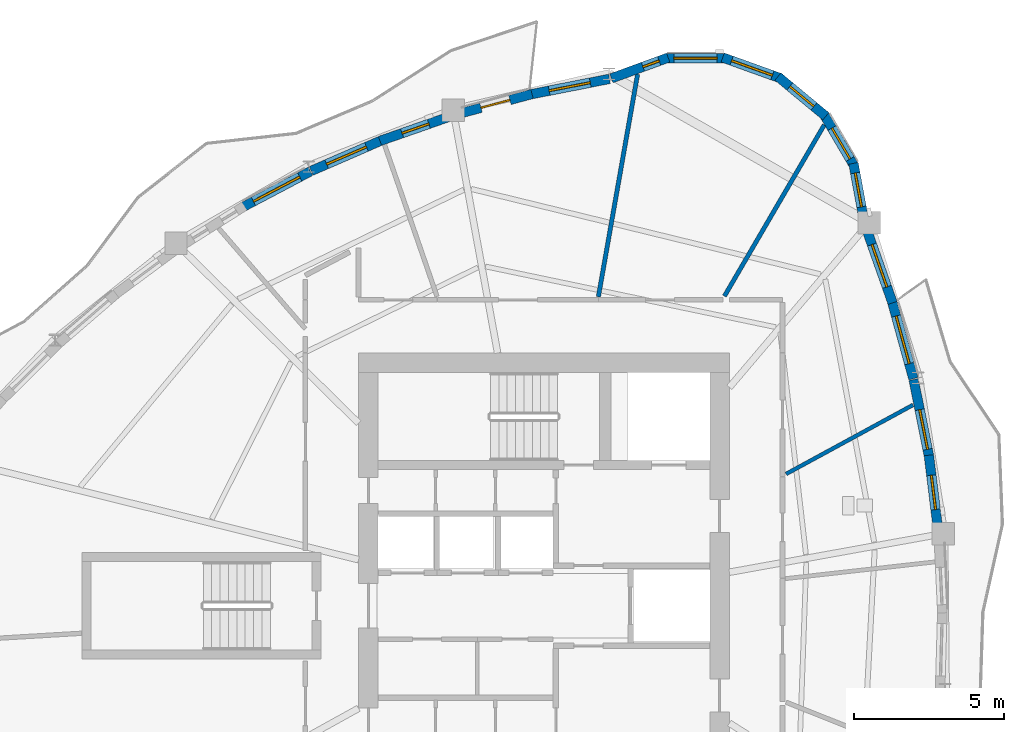
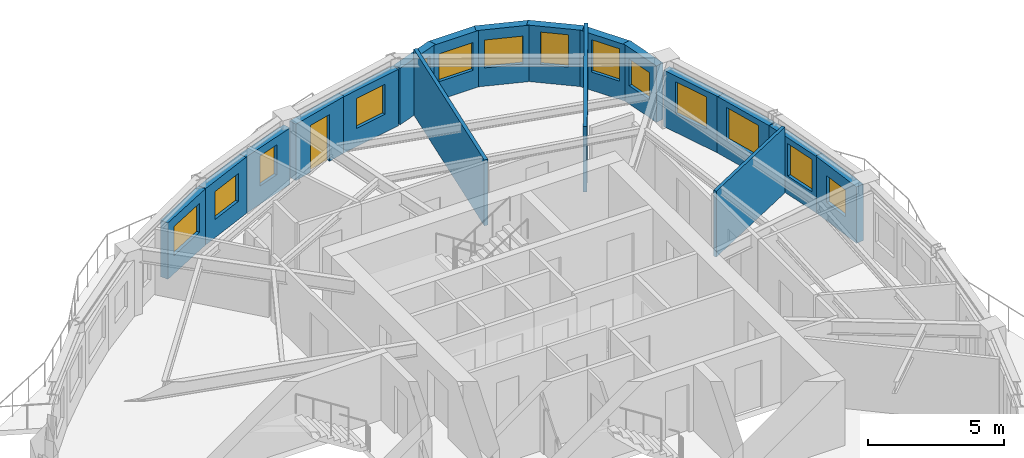
# One storey, part 7 of 12: 18 walls, 14 windows, 1 door, 15 openings.
"""IFC4 building model written with IfcOpenShell, lengths in metres."""

import ifcopenshell
import ifcopenshell.guid

model = None  # the IFC model being written
_history = None  # IfcOwnerHistory: only IFC2X3 demands one
_inside = {}  # id of a spatial element -> (the spatial element, [elements in it])
_under = {}  # id of a project, library or spatial element -> (it, [spatial elements below it])
_declared = {}  # id of a project -> (the project, [libraries it declares])
_typed = {}  # id of a type object -> (the type object, [elements of that type])
_made_of = {}  # id of a material, layer set ... -> (it, [elements and type objects made of it])


def new_model(schema):
    """Start an empty IFC model of exactly this schema.

    Asked for "IFC4X3", IfcOpenShell would pick the latest addendum, in which some entities
    have other attributes; the version numbers below select the first issue.
    IFC2X3 requires an IfcOwnerHistory on every rooted entity: one is made here for all.
    """
    global model, _history
    if schema == "IFC4X3":
        model = ifcopenshell.file(schema_version=(4, 3, 0, 0))
    else:
        model = ifcopenshell.file(schema=schema)
    _inside.clear()
    _under.clear()
    _declared.clear()
    _typed.clear()
    _made_of.clear()
    _history = None
    if model.schema == "IFC2X3":
        org = make("IfcOrganization", Name="unknown")
        user = make(
            "IfcPersonAndOrganization",
            ThePerson=make("IfcPerson", FamilyName="unknown"),
            TheOrganization=org,
        )
        app = make(
            "IfcApplication",
            ApplicationDeveloper=org,
            Version="unknown",
            ApplicationFullName="unknown",
            ApplicationIdentifier="unknown",
        )
        _history = make(
            "IfcOwnerHistory",
            OwningUser=user,
            OwningApplication=app,
            ChangeAction="ADDED",
            CreationDate=0,
        )
    return model


def make(cls, **values):
    """One entity of the class cls with the attributes given. An attribute that is None is left unset."""
    return model.create_entity(
        cls, **{name: value for name, value in values.items() if value is not None}
    )


def rooted(cls, **values):
    """An entity with a GlobalId (a new one), such as an element, a storey or a relation."""
    return make(cls, GlobalId=ifcopenshell.guid.new(), OwnerHistory=_history, **values)


def si_unit(unit_type, name, prefix=None):
    """IfcSIUnit, for example si_unit("LENGTHUNIT", "METRE", prefix="MILLI")."""
    return make("IfcSIUnit", UnitType=unit_type, Prefix=prefix, Name=name)


def assignment(units):
    """IfcUnitAssignment: the units of a project."""
    return None if units is None else make("IfcUnitAssignment", Units=units)


def point(xyz):
    """IfcCartesianPoint."""
    return None if xyz is None else make("IfcCartesianPoint", Coordinates=xyz)


def direction(xyz):
    """IfcDirection."""
    return None if xyz is None else make("IfcDirection", DirectionRatios=xyz)


def frame(location, z_axis=None, x_axis=None):
    """IfcAxis2Placement3D, a coordinate frame: its origin and axes. An axis left out is left unset."""
    return make(
        "IfcAxis2Placement3D",
        Location=point(location),
        Axis=direction(z_axis),
        RefDirection=direction(x_axis),
    )


def frame_2d(location, x_axis=None):
    """IfcAxis2Placement2D, a coordinate frame in the plane: its origin and x axis."""
    return make(
        "IfcAxis2Placement2D", Location=point(location), RefDirection=direction(x_axis)
    )


def origin():
    """The frame at (0, 0, 0) with its axes left unset."""
    return frame((0.0, 0.0, 0.0))


def place(relative_to, where):
    """IfcLocalPlacement: puts the frame where relative to a parent placement (None: the world)."""
    return make(
        "IfcLocalPlacement", PlacementRelTo=relative_to, RelativePlacement=where
    )


def context(
    kind, dimensions, precision=None, world=None, true_north=None, identifier=None
):
    """IfcGeometricRepresentationContext, for example the 3D "Model" context."""
    return make(
        "IfcGeometricRepresentationContext",
        ContextIdentifier=identifier,
        ContextType=kind,
        CoordinateSpaceDimension=dimensions,
        Precision=precision,
        WorldCoordinateSystem=world,
        TrueNorth=true_north,
    )


def subcontext(parent, identifier, kind, view, scale=None):
    """IfcGeometricRepresentationSubContext, for example "Body" below "Model"."""
    return make(
        "IfcGeometricRepresentationSubContext",
        ContextIdentifier=identifier,
        ContextType=kind,
        ParentContext=parent,
        TargetScale=scale,
        TargetView=view,
    )


def project(units=None, contexts=None):
    """IfcProject with its units and contexts."""
    return rooted(
        "IfcProject",
        Name="project",
        RepresentationContexts=contexts,
        UnitsInContext=assignment(units),
    )


def spatial(cls, under=None, at=None, **own):
    """A site, building, storey or space (cls), placed at a placement, below another one or the project."""
    s = rooted(cls, ObjectPlacement=at, **own)
    if under is not None:
        _under.setdefault(under.id(), (under, []))[1].append(s)
    return s


def profile(cls, at=None, kind="AREA", **sizes):
    """A parametric profile (cls). Its sizes go by their IFC names, for example OverallWidth=200.0."""
    return make(cls, ProfileType=kind, Position=at, **sizes)


def rectangle(**sizes):
    """IfcRectangleProfileDef."""
    return profile("IfcRectangleProfileDef", **sizes)


def extrude(swept, where, along, depth):
    """IfcExtrudedAreaSolid: the profile swept, set in the frame where, extruded along a direction by depth."""
    return make(
        "IfcExtrudedAreaSolid",
        SweptArea=swept,
        Position=where,
        ExtrudedDirection=direction(along),
        Depth=depth,
    )


def shape(context_of_items, identifier, shape_type, items):
    """IfcShapeRepresentation: the items that make up one representation, for example the "Body"."""
    return make(
        "IfcShapeRepresentation",
        ContextOfItems=context_of_items,
        RepresentationIdentifier=identifier,
        RepresentationType=shape_type,
        Items=items,
    )


def source(mapping_origin, context_of_items, identifier, shape_type, items):
    """IfcRepresentationMap: a shape defined once, which mapped items show again and again."""
    return make(
        "IfcRepresentationMap",
        MappingOrigin=mapping_origin,
        MappedRepresentation=shape(context_of_items, identifier, shape_type, items),
    )


def transform(
    local_origin,
    x_axis=None,
    y_axis=None,
    z_axis=None,
    scale=None,
    scale2=None,
    scale3=None,
    uniform=True,
):
    """IfcCartesianTransformationOperator3D, or its non-uniform kind. x_axis, y_axis, z_axis: its Axis1, 2, 3."""
    if uniform:
        return make(
            "IfcCartesianTransformationOperator3D",
            Axis1=direction(x_axis),
            Axis2=direction(y_axis),
            LocalOrigin=point(local_origin),
            Scale=scale,
            Axis3=direction(z_axis),
        )
    return make(
        "IfcCartesianTransformationOperator3DnonUniform",
        Axis1=direction(x_axis),
        Axis2=direction(y_axis),
        LocalOrigin=point(local_origin),
        Scale=scale,
        Axis3=direction(z_axis),
        Scale2=scale2,
        Scale3=scale3,
    )


def mapped(mapping_source, mapping_target):
    """IfcMappedItem: shows the shape of a source again, moved by a transform."""
    return make(
        "IfcMappedItem", MappingSource=mapping_source, MappingTarget=mapping_target
    )


def material(Name=None, Category=None):
    """IfcMaterial."""
    return make("IfcMaterial", Name=Name, Category=Category)


def layer(
    of_material, thickness, ventilated=None, Name=None, Category=None, Priority=None
):
    """IfcMaterialLayer: one layer of a wall or slab, of a material (None: an air gap)."""
    return make(
        "IfcMaterialLayer",
        Material=of_material,
        LayerThickness=thickness,
        IsVentilated=ventilated,
        Name=Name,
        Category=Category,
        Priority=Priority,
    )


def layer_set(layers, Name=None):
    """IfcMaterialLayerSet."""
    return make("IfcMaterialLayerSet", MaterialLayers=layers, LayerSetName=Name)


def made_of(thing, what):
    """Note that an element or type object is made of a material, layer set ...; save() writes the relation."""
    if what is not None:
        _made_of.setdefault(what.id(), (what, []))[1].append(thing)
    return thing


def type_object(cls, material=None, **own):
    """A type object (cls), such as IfcWallType, which elements share."""
    return made_of(rooted(cls, **own), material)


def element(
    cls,
    number,
    at=None,
    inside=None,
    cuts=None,
    type_object=None,
    material=None,
    context=None,
    identifier="Body",
    shape_type=None,
    held_by="IfcProductDefinitionShape",
    body=None,
    shapes=None,
    **own,
):
    """One element of the class cls, such as IfcWall. Its Tag is "e" and its number.

    at: its placement. inside: the storey or other place that contains it. cuts: it is an
    opening in that element (IfcRelVoidsElement). A single representation is given by context,
    identifier, shape_type and body (its items); several are given by shapes. held_by: the class
    of the entity that holds the representations. save() writes the other relations.
    """
    e = rooted(cls, Tag="e%d" % number, ObjectPlacement=at, **own)
    if body is not None:
        shapes = [shape(context, identifier, shape_type, body)]
    if shapes is not None:
        e.Representation = make(held_by, Representations=shapes)
    if inside is not None:
        _inside.setdefault(inside.id(), (inside, []))[1].append(e)
    if cuts is not None:
        rooted(
            "IfcRelVoidsElement", RelatingBuildingElement=cuts, RelatedOpeningElement=e
        )
    if type_object is not None:
        _typed.setdefault(type_object.id(), (type_object, []))[1].append(e)
    return made_of(e, material)


def fill(opening, filler):
    """IfcRelFillsElement: the door or window that sits in an opening."""
    return rooted(
        "IfcRelFillsElement",
        RelatingOpeningElement=opening,
        RelatedBuildingElement=filler,
    )


def aggregate(whole, parts):
    """IfcRelAggregates: a whole, such as a stair, and the parts it consists of."""
    return rooted("IfcRelAggregates", RelatingObject=whole, RelatedObjects=parts)


def save(model, path):
    """Write the relations noted so far, then the file.

    IfcRelAggregates (storeys below a building ...), IfcRelContainedInSpatialStructure (elements
    in a storey), IfcRelDefinesByType, IfcRelAssociatesMaterial and IfcRelDeclares: one each for
    every whole, place, type object, material and project.
    """
    for whole, parts in _under.values():
        aggregate(whole, parts)
    for where, things in _inside.values():
        rooted(
            "IfcRelContainedInSpatialStructure",
            RelatedElements=things,
            RelatingStructure=where,
        )
    for kind, things in _typed.values():
        rooted("IfcRelDefinesByType", RelatedObjects=things, RelatingType=kind)
    for what, things in _made_of.values():
        rooted("IfcRelAssociatesMaterial", RelatedObjects=things, RelatingMaterial=what)
    for by, libraries in _declared.values():
        rooted("IfcRelDeclares", RelatingContext=by, RelatedDefinitions=libraries)
    model.write(path)


model = new_model("IFC4")

# Units and contexts
model_context = context("Model", 3, precision=1e-05, world=origin(), true_north=direction((0.0, 1.0)))
body_context = subcontext(model_context, "Body", "Model", "MODEL_VIEW")
ifc_project = project(units=[si_unit("LENGTHUNIT", "METRE"), si_unit("AREAUNIT", "SQUARE_METRE"), si_unit("VOLUMEUNIT", "CUBIC_METRE"), si_unit("PLANEANGLEUNIT", "RADIAN"), si_unit("MASSUNIT", "GRAM", prefix="KILO")], contexts=[model_context])

# Site, building, storey
site_placement = place(None, origin())
site = spatial("IfcSite", under=ifc_project, at=site_placement, CompositionType="ELEMENT")
building_placement = place(site_placement, origin())
building = spatial("IfcBuilding", under=site, at=building_placement, Name="Qafzar Sky-Pleat Residences", CompositionType="ELEMENT")
storey_placement = place(building_placement, frame((0.0, 0.0, 181.0)))
storey = spatial("IfcBuildingStorey", under=building, at=storey_placement, Name="L54", CompositionType="ELEMENT", Elevation=181.0)

# Walls
ifc_material_1 = material(Name="Acoustic gypsum plasterboard partition", Category="gypsum")
ifc_layer_1 = layer(ifc_material_1, 0.14501953125)
ifc_layer_set_1 = layer_set([ifc_layer_1], Name="Acoustic gypsum plasterboard partition")
wall_type_1 = type_object("IfcWallType", Name="PART-UNIT-145", PredefinedType="PARTITIONING", material=ifc_layer_set_1)
wall_1_placement = place(storey_placement, frame((32.169677734375, 36.33056640625, 0.0), z_axis=(0.0, 0.0, 1.0), x_axis=(0.173479457804, 0.984837487975, 0.0)))
element("IfcWall", 1, at=wall_1_placement, inside=storey, type_object=wall_type_1, Name="L54 Partition Wall PART-L54-PW-013", PredefinedType="PARTITIONING", context=body_context, shape_type="SweptSolid", body=[
    extrude(rectangle(XDim=7.55859375, YDim=0.14501953125, at=frame_2d((3.779296875, 0.0))), origin(), (0.0, 0.0, 1.0), 2.949951171875),
])
wall_2_placement = place(storey_placement, frame((36.385986328125, 36.353515625, 0.0), z_axis=(0.0, 0.0, 1.0), x_axis=(0.503662452742, 0.863900534609, 0.0)))
element("IfcWall", 2, at=wall_2_placement, inside=storey, type_object=wall_type_1, Name="L54 Partition Wall PART-L54-PW-016", PredefinedType="PARTITIONING", context=body_context, shape_type="SweptSolid", body=[
    extrude(rectangle(XDim=6.623291015625, YDim=0.14501953125, at=frame_2d((3.3115234375, 0.0))), origin(), (0.0, 0.0, 1.0), 2.949951171875),
])
ifc_material_2 = material(Name="Moisture-resistant gypsum partition", Category="gypsum")
ifc_layer_2 = layer(ifc_material_2, 0.1298828125)
ifc_layer_set_2 = layer_set([ifc_layer_2], Name="Moisture-resistant gypsum partition")
wall_type_2 = type_object("IfcWallType", Name="PART-WET-130", PredefinedType="PARTITIONING", material=ifc_layer_set_2)
wall_3_placement = place(storey_placement, frame((38.447998046875, 30.4052734375, 0.0), z_axis=(0.0, 0.0, 1.0), x_axis=(0.878447426807, 0.477839008805, 0.0)))
element("IfcWall", 3, at=wall_3_placement, inside=storey, type_object=wall_type_2, Name="L54 Partition Wall PART-L54-PW-020", PredefinedType="PARTITIONING", context=body_context, shape_type="SweptSolid", body=[
    extrude(rectangle(XDim=4.830322265625, YDim=0.1298828125, at=frame_2d((2.4150390625, 0.0))), origin(), (0.0, 0.0, 1.0), 2.949951171875),
])

# Wall, opening, window
ifc_material_3 = material(Name="Precast concrete C40/50 with honed Riyadh limestone", Category="concrete")
ifc_layer_3 = layer(ifc_material_3, 0.320068359375)
ifc_layer_set_3 = layer_set([ifc_layer_3], Name="Precast concrete C40/50 with honed Riyadh limestone")
wall_type_3 = type_object("IfcWallType", Name="WALL-EXT-320", PredefinedType="SOLIDWALL", material=ifc_layer_set_3)
wall_4_placement = place(storey_placement, frame((43.5283203125, 28.554443359375, 0.0), z_axis=(0.0, 0.0, 1.0), x_axis=(-0.122939257513, 0.99241419728, 0.0)))
wall_4 = element("IfcWall", 4, at=wall_4_placement, inside=storey, type_object=wall_type_3, Name="L54 Limestone Facade Wall 29", PredefinedType="SOLIDWALL", context=body_context, shape_type="SweptSolid", body=[
    extrude(rectangle(XDim=2.496337890625, YDim=0.320068359375, at=frame_2d((1.248046875, 0.0))), origin(), (0.0, 0.0, 1.0), 2.530029296875),
])
opening_1_placement = place(wall_4_placement, frame((0.668212890625, 0.0, 0.820068359375)))
opening_1 = element("IfcOpeningElement", 5, at=opening_1_placement, cuts=wall_4, Name="Opening WN-16", PredefinedType="OPENING", context=body_context, shape_type="SweptSolid", body=[
    extrude(rectangle(XDim=1.14990234375, YDim=1.199951171875, at=frame_2d((0.574951171875, 0.60009765625))), frame((0.0, 0.169921875, 0.0), z_axis=(0.0, -1.0, 0.0), x_axis=(1.0, 0.0, 0.0)), (0.0, 0.0, 1.0), 0.340087890625),
])
ifc_material_4 = material(Name="Solar-control low-E glass in bronze aluminium frame", Category="glass")
window_type_1 = type_object("IfcWindowType", Name="WIN-16", PartitioningType="SINGLE_PANEL", PredefinedType="WINDOW", material=ifc_material_4)
shared_shape_1 = source(origin(), body_context, "Body", "SweptSolid", [
    extrude(rectangle(XDim=1.14990234375, YDim=1.199951171875, at=frame_2d((0.574951171875, 0.60009765625))), frame((0.0, 0.030029296875, 0.0), z_axis=(0.0, -1.0, 0.0), x_axis=(1.0, 0.0, 0.0)), (0.0, 0.0, 1.0), 0.06005859375),
])
window_1_placement = place(opening_1_placement, origin())
window_1 = element("IfcWindow", 6, at=window_1_placement, inside=storey, type_object=window_type_1, Name="L54 Punched Facade Window 29", OverallHeight=1.199951171875, OverallWidth=1.14990234375, PartitioningType="SINGLE_PANEL", PredefinedType="WINDOW", context=body_context, shape_type="MappedRepresentation", body=[
    mapped(shared_shape_1, transform((0.0, 0.0, 0.0), x_axis=(1.0, 0.0, 0.0), y_axis=(0.0, 1.0, 0.0), z_axis=(0.0, 0.0, 1.0), scale=1.0)),
])
fill(opening_1, window_1)

wall_5_placement = place(storey_placement, frame((43.235595703125, 30.945068359375, 0.0), z_axis=(0.0, 0.0, 1.0), x_axis=(-0.196221587905, 0.98055957924, 0.0)))
wall_5 = element("IfcWall", 7, at=wall_5_placement, inside=storey, type_object=wall_type_3, Name="L54 Limestone Facade Wall 30", PredefinedType="SOLIDWALL", context=body_context, shape_type="SweptSolid", body=[
    extrude(rectangle(XDim=2.67138671875, YDim=0.320068359375, at=frame_2d((1.335693359375, 0.0))), origin(), (0.0, 0.0, 1.0), 2.530029296875),
])
opening_2_placement = place(wall_5_placement, frame((0.291259765625, 0.0, 0.820068359375)))
opening_2 = element("IfcOpeningElement", 8, at=opening_2_placement, cuts=wall_5, Name="Opening WN-04", PredefinedType="OPENING", context=body_context, shape_type="SweptSolid", body=[
    extrude(rectangle(XDim=1.35009765625, YDim=1.449951171875, at=frame_2d((0.675048828125, 0.72509765625))), frame((0.0, 0.169921875, 0.0), z_axis=(0.0, -1.0, 0.0), x_axis=(1.0, 0.0, 0.0)), (0.0, 0.0, 1.0), 0.340087890625),
])
window_type_2 = type_object("IfcWindowType", Name="WIN-04", PartitioningType="SINGLE_PANEL", PredefinedType="WINDOW", material=ifc_material_4)
shared_shape_2 = source(origin(), body_context, "Body", "SweptSolid", [
    extrude(rectangle(XDim=1.35009765625, YDim=1.449951171875, at=frame_2d((0.675048828125, 0.72509765625))), frame((0.0, 0.030029296875, 0.0), z_axis=(0.0, -1.0, 0.0), x_axis=(1.0, 0.0, 0.0)), (0.0, 0.0, 1.0), 0.06005859375),
])
window_2_placement = place(opening_2_placement, origin())
window_2 = element("IfcWindow", 9, at=window_2_placement, inside=storey, type_object=window_type_2, Name="L54 Punched Facade Window 30", OverallHeight=1.449951171875, OverallWidth=1.35009765625, PartitioningType="SINGLE_PANEL", PredefinedType="WINDOW", context=body_context, shape_type="MappedRepresentation", body=[
    mapped(shared_shape_2, transform((0.0, 0.0, 0.0), x_axis=(1.0, 0.0, 0.0), y_axis=(0.0, 1.0, 0.0), z_axis=(0.0, 0.0, 1.0), scale=1.0)),
])
fill(opening_2, window_2)

wall_6_placement = place(storey_placement, frame((42.704833984375, 33.592041015625, 0.0), z_axis=(0.0, 0.0, 1.0), x_axis=(-0.266433209731, 0.963853383432, 0.0)))
wall_6 = element("IfcWall", 10, at=wall_6_placement, inside=storey, type_object=wall_type_3, Name="L54 Limestone Facade Wall 31", PredefinedType="SOLIDWALL", context=body_context, shape_type="SweptSolid", body=[
    extrude(rectangle(XDim=2.715087890625, YDim=0.320068359375, at=frame_2d((1.357421875, 0.0))), origin(), (0.0, 0.0, 1.0), 2.530029296875),
])
opening_3_placement = place(wall_6_placement, frame((0.5224609375, 0.0, 0.820068359375)))
opening_3 = element("IfcOpeningElement", 11, at=opening_3_placement, cuts=wall_6, Name="Opening WN-02", PredefinedType="OPENING", context=body_context, shape_type="SweptSolid", body=[
    extrude(rectangle(XDim=1.64990234375, YDim=1.449951171875, at=frame_2d((0.824951171875, 0.72509765625))), frame((0.0, 0.169921875, 0.0), z_axis=(0.0, -1.0, 0.0), x_axis=(1.0, 0.0, 0.0)), (0.0, 0.0, 1.0), 0.340087890625),
])
window_type_3 = type_object("IfcWindowType", Name="WIN-02", PartitioningType="DOUBLE_PANEL_VERTICAL", PredefinedType="WINDOW", material=ifc_material_4)
shared_shape_3 = source(origin(), body_context, "Body", "SweptSolid", [
    extrude(rectangle(XDim=1.64990234375, YDim=1.449951171875, at=frame_2d((0.824951171875, 0.72509765625))), frame((0.0, 0.030029296875, 0.0), z_axis=(0.0, -1.0, 0.0), x_axis=(1.0, 0.0, 0.0)), (0.0, 0.0, 1.0), 0.06005859375),
])
window_3_placement = place(opening_3_placement, origin())
window_3 = element("IfcWindow", 12, at=window_3_placement, inside=storey, type_object=window_type_3, Name="L54 Punched Facade Window 31", OverallHeight=1.449951171875, OverallWidth=1.64990234375, PartitioningType="SINGLE_PANEL", PredefinedType="WINDOW", context=body_context, shape_type="MappedRepresentation", body=[
    mapped(shared_shape_3, transform((0.0, 0.0, 0.0), x_axis=(1.0, 0.0, 0.0), y_axis=(0.0, 1.0, 0.0), z_axis=(0.0, 0.0, 1.0), scale=1.0)),
])
fill(opening_3, window_3)

wall_7_placement = place(storey_placement, frame((42.007568359375, 36.125732421875, 0.0), z_axis=(0.0, 0.0, 1.0), x_axis=(-0.332790959239, 0.94300062431, 0.0)))
wall_7 = element("IfcWall", 13, at=wall_7_placement, inside=storey, type_object=wall_type_3, Name="L54 Limestone Facade Wall 32", PredefinedType="SOLIDWALL", context=body_context, shape_type="SweptSolid", body=[
    extrude(rectangle(XDim=2.6279296875, YDim=0.320068359375, at=frame_2d((1.31396484375, 0.0))), origin(), (0.0, 0.0, 1.0), 2.530029296875),
])
opening_4_placement = place(wall_7_placement, frame((0.56884765625, 0.0, 0.820068359375)))
opening_4 = element("IfcOpeningElement", 14, at=opening_4_placement, cuts=wall_7, Name="Opening WN-03", PredefinedType="OPENING", context=body_context, shape_type="SweptSolid", body=[
    extrude(rectangle(XDim=1.5, YDim=1.449951171875, at=frame_2d((0.75, 0.72509765625))), frame((0.0, 0.169921875, 0.0), z_axis=(0.0, -1.0, 0.0), x_axis=(1.0, 0.0, 0.0)), (0.0, 0.0, 1.0), 0.340087890625),
])
window_type_4 = type_object("IfcWindowType", Name="WIN-03", PartitioningType="DOUBLE_PANEL_VERTICAL", PredefinedType="WINDOW", material=ifc_material_4)
shared_shape_4 = source(origin(), body_context, "Body", "SweptSolid", [
    extrude(rectangle(XDim=1.5, YDim=1.449951171875, at=frame_2d((0.75, 0.72509765625))), frame((0.0, 0.030029296875, 0.0), z_axis=(0.0, -1.0, 0.0), x_axis=(1.0, 0.0, 0.0)), (0.0, 0.0, 1.0), 0.06005859375),
])
window_4_placement = place(opening_4_placement, origin())
window_4 = element("IfcWindow", 15, at=window_4_placement, inside=storey, type_object=window_type_4, Name="L54 Punched Facade Window 32", OverallHeight=1.449951171875, OverallWidth=1.5, PartitioningType="SINGLE_PANEL", PredefinedType="WINDOW", context=body_context, shape_type="MappedRepresentation", body=[
    mapped(shared_shape_4, transform((0.0, 0.0, 0.0), x_axis=(1.0, 0.0, 0.0), y_axis=(0.0, 1.0, 0.0), z_axis=(0.0, 0.0, 1.0), scale=1.0)),
])
fill(opening_4, window_4)

wall_8_placement = place(storey_placement, frame((41.041748046875, 38.945556640625, 0.0), z_axis=(0.0, 0.0, 1.0), x_axis=(-0.182373191939, 0.983229382627, 0.0)))
wall_8 = element("IfcWall", 16, at=wall_8_placement, inside=storey, type_object=wall_type_3, Name="L54 Limestone Facade Wall 33", PredefinedType="SOLIDWALL", context=body_context, shape_type="SweptSolid", body=[
    extrude(rectangle(XDim=1.878173828125, YDim=0.320068359375, at=frame_2d((0.93896484375, 0.0))), origin(), (0.0, 0.0, 1.0), 2.530029296875),
])
opening_5_placement = place(wall_8_placement, frame((0.39892578125, 0.0, 0.820068359375)))
opening_5 = element("IfcOpeningElement", 17, at=opening_5_placement, cuts=wall_8, Name="Opening WN-16", PredefinedType="OPENING", context=body_context, shape_type="SweptSolid", body=[
    extrude(rectangle(XDim=1.14990234375, YDim=1.199951171875, at=frame_2d((0.574951171875, 0.60009765625))), frame((0.0, 0.169921875, 0.0), z_axis=(0.0, -1.0, 0.0), x_axis=(1.0, 0.0, 0.0)), (0.0, 0.0, 1.0), 0.340087890625),
])
window_5_placement = place(opening_5_placement, origin())
window_5 = element("IfcWindow", 18, at=window_5_placement, inside=storey, type_object=window_type_1, Name="L54 Punched Facade Window 33", OverallHeight=1.199951171875, OverallWidth=1.14990234375, PartitioningType="SINGLE_PANEL", PredefinedType="WINDOW", context=body_context, shape_type="MappedRepresentation", body=[
    mapped(shared_shape_1, transform((0.0, 0.0, 0.0), x_axis=(1.0, 0.0, 0.0), y_axis=(0.0, 1.0, 0.0), z_axis=(0.0, 0.0, 1.0), scale=1.0)),
])
fill(opening_5, window_5)

wall_9_placement = place(storey_placement, frame((40.74462890625, 40.670166015625, 0.0), z_axis=(0.0, 0.0, 1.0), x_axis=(-0.506312473438, 0.86235009088, 0.0)))
wall_9 = element("IfcWall", 19, at=wall_9_placement, inside=storey, type_object=wall_type_3, Name="L54 Limestone Facade Wall 34", PredefinedType="SOLIDWALL", context=body_context, shape_type="SweptSolid", body=[
    extrude(rectangle(XDim=2.0810546875, YDim=0.320068359375, at=frame_2d((1.04052734375, 0.0))), origin(), (0.0, 0.0, 1.0), 2.530029296875),
])
opening_6_placement = place(wall_9_placement, frame((0.310546875, 0.0, 0.820068359375)))
opening_6 = element("IfcOpeningElement", 20, at=opening_6_placement, cuts=wall_9, Name="Opening WN-05", PredefinedType="OPENING", context=body_context, shape_type="SweptSolid", body=[
    extrude(rectangle(XDim=1.199951171875, YDim=1.449951171875, at=frame_2d((0.60009765625, 0.72509765625))), frame((0.0, 0.169921875, 0.0), z_axis=(0.0, -1.0, 0.0), x_axis=(1.0, 0.0, 0.0)), (0.0, 0.0, 1.0), 0.340087890625),
])
window_type_5 = type_object("IfcWindowType", Name="WIN-05", PartitioningType="SINGLE_PANEL", PredefinedType="WINDOW", material=ifc_material_4)
shared_shape_5 = source(origin(), body_context, "Body", "SweptSolid", [
    extrude(rectangle(XDim=1.199951171875, YDim=1.449951171875, at=frame_2d((0.60009765625, 0.72509765625))), frame((0.0, 0.030029296875, 0.0), z_axis=(0.0, -1.0, 0.0), x_axis=(1.0, 0.0, 0.0)), (0.0, 0.0, 1.0), 0.06005859375),
])
window_6_placement = place(opening_6_placement, origin())
window_6 = element("IfcWindow", 21, at=window_6_placement, inside=storey, type_object=window_type_5, Name="L54 Punched Facade Window 34", OverallHeight=1.449951171875, OverallWidth=1.199951171875, PartitioningType="SINGLE_PANEL", PredefinedType="WINDOW", context=body_context, shape_type="MappedRepresentation", body=[
    mapped(shared_shape_5, transform((0.0, 0.0, 0.0), x_axis=(1.0, 0.0, 0.0), y_axis=(0.0, 1.0, 0.0), z_axis=(0.0, 0.0, 1.0), scale=1.0)),
])
fill(opening_6, window_6)

wall_10_placement = place(storey_placement, frame((39.775390625, 42.36572265625, 0.0), z_axis=(0.0, 0.0, 1.0), x_axis=(-0.769690471148, 0.63841724493, 0.0)))
wall_10 = element("IfcWall", 22, at=wall_10_placement, inside=storey, type_object=wall_type_3, Name="L54 Limestone Facade Wall 35", PredefinedType="SOLIDWALL", context=body_context, shape_type="SweptSolid", body=[
    extrude(rectangle(XDim=2.0810546875, YDim=0.320068359375, at=frame_2d((1.04052734375, 0.0))), origin(), (0.0, 0.0, 1.0), 2.530029296875),
])
opening_7_placement = place(wall_10_placement, frame((0.515625, 0.0, 0.820068359375)))
opening_7 = element("IfcOpeningElement", 23, at=opening_7_placement, cuts=wall_10, Name="Opening WN-06", PredefinedType="OPENING", context=body_context, shape_type="SweptSolid", body=[
    extrude(rectangle(XDim=1.050048828125, YDim=1.449951171875, at=frame_2d((0.52490234375, 0.72509765625))), frame((0.0, 0.169921875, 0.0), z_axis=(0.0, -1.0, 0.0), x_axis=(1.0, 0.0, 0.0)), (0.0, 0.0, 1.0), 0.340087890625),
])
window_type_6 = type_object("IfcWindowType", Name="WIN-06", PartitioningType="SINGLE_PANEL", PredefinedType="WINDOW", material=ifc_material_4)
shared_shape_6 = source(origin(), body_context, "Body", "SweptSolid", [
    extrude(rectangle(XDim=1.050048828125, YDim=1.449951171875, at=frame_2d((0.52490234375, 0.72509765625))), frame((0.0, 0.030029296875, 0.0), z_axis=(0.0, -1.0, 0.0), x_axis=(1.0, 0.0, 0.0)), (0.0, 0.0, 1.0), 0.06005859375),
])
window_7_placement = place(opening_7_placement, origin())
window_7 = element("IfcWindow", 24, at=window_7_placement, inside=storey, type_object=window_type_6, Name="L54 Punched Facade Window 35", OverallHeight=1.449951171875, OverallWidth=1.050048828125, PartitioningType="SINGLE_PANEL", PredefinedType="WINDOW", context=body_context, shape_type="MappedRepresentation", body=[
    mapped(shared_shape_6, transform((0.0, 0.0, 0.0), x_axis=(1.0, 0.0, 0.0), y_axis=(0.0, 1.0, 0.0), z_axis=(0.0, 0.0, 1.0), scale=1.0)),
])
fill(opening_7, window_7)

wall_11_placement = place(storey_placement, frame((38.28662109375, 43.6298828125, 0.0), z_axis=(0.0, 0.0, 1.0), x_axis=(-0.941108549294, 0.338104567323, 0.0)))
wall_11 = element("IfcWall", 25, at=wall_11_placement, inside=storey, type_object=wall_type_3, Name="L54 Limestone Facade Wall 36", PredefinedType="SOLIDWALL", context=body_context, shape_type="SweptSolid", body=[
    extrude(rectangle(XDim=2.0810546875, YDim=0.320068359375, at=frame_2d((1.04052734375, 0.0))), origin(), (0.0, 0.0, 1.0), 2.530029296875),
])
opening_8_placement = place(wall_11_placement, frame((0.3154296875, 0.0, 0.820068359375)))
opening_8 = element("IfcOpeningElement", 26, at=opening_8_placement, cuts=wall_11, Name="Opening WN-15", PredefinedType="OPENING", context=body_context, shape_type="SweptSolid", body=[
    extrude(rectangle(XDim=1.449951171875, YDim=1.25, at=frame_2d((0.72509765625, 0.625))), frame((0.0, 0.169921875, 0.0), z_axis=(0.0, -1.0, 0.0), x_axis=(1.0, 0.0, 0.0)), (0.0, 0.0, 1.0), 0.340087890625),
])
window_type_7 = type_object("IfcWindowType", Name="WIN-15", PartitioningType="SINGLE_PANEL", PredefinedType="WINDOW", material=ifc_material_4)
shared_shape_7 = source(origin(), body_context, "Body", "SweptSolid", [
    extrude(rectangle(XDim=1.449951171875, YDim=1.25, at=frame_2d((0.72509765625, 0.625))), frame((0.0, 0.030029296875, 0.0), z_axis=(0.0, -1.0, 0.0), x_axis=(1.0, 0.0, 0.0)), (0.0, 0.0, 1.0), 0.06005859375),
])
window_8_placement = place(opening_8_placement, origin())
window_8 = element("IfcWindow", 27, at=window_8_placement, inside=storey, type_object=window_type_7, Name="L54 Punched Facade Window 36", OverallHeight=1.25, OverallWidth=1.449951171875, PartitioningType="SINGLE_PANEL", PredefinedType="WINDOW", context=body_context, shape_type="MappedRepresentation", body=[
    mapped(shared_shape_7, transform((0.0, 0.0, 0.0), x_axis=(1.0, 0.0, 0.0), y_axis=(0.0, 1.0, 0.0), z_axis=(0.0, 0.0, 1.0), scale=1.0)),
])
fill(opening_8, window_8)

wall_12_placement = place(storey_placement, frame((36.456298828125, 44.311279296875, 0.0), z_axis=(0.0, 0.0, 1.0), x_axis=(-0.999997246765, -0.002346585115, 0.0)))
wall_12 = element("IfcWall", 28, at=wall_12_placement, inside=storey, type_object=wall_type_3, Name="L54 Limestone Facade Wall 37", PredefinedType="SOLIDWALL", context=body_context, shape_type="SweptSolid", body=[
    extrude(rectangle(XDim=2.080810546875, YDim=0.320068359375, at=frame_2d((1.04052734375, 0.0))), origin(), (0.0, 0.0, 1.0), 2.530029296875),
])
opening_9_placement = place(wall_12_placement, frame((0.3154296875, 0.0, 0.820068359375)))
opening_9 = element("IfcOpeningElement", 29, at=opening_9_placement, cuts=wall_12, Name="Opening WN-15", PredefinedType="OPENING", context=body_context, shape_type="SweptSolid", body=[
    extrude(rectangle(XDim=1.449951171875, YDim=1.25, at=frame_2d((0.72509765625, 0.625))), frame((0.0, 0.169921875, 0.0), z_axis=(0.0, -1.0, 0.0), x_axis=(1.0, 0.0, 0.0)), (0.0, 0.0, 1.0), 0.340087890625),
])
window_9_placement = place(opening_9_placement, origin())
window_9 = element("IfcWindow", 30, at=window_9_placement, inside=storey, type_object=window_type_7, Name="L54 Punched Facade Window 37", OverallHeight=1.25, OverallWidth=1.449951171875, PartitioningType="SINGLE_PANEL", PredefinedType="WINDOW", context=body_context, shape_type="MappedRepresentation", body=[
    mapped(shared_shape_7, transform((0.0, 0.0, 0.0), x_axis=(1.0, 0.0, 0.0), y_axis=(0.0, 1.0, 0.0), z_axis=(0.0, 0.0, 1.0), scale=1.0)),
])
fill(opening_9, window_9)

wall_13_placement = place(storey_placement, frame((34.50341796875, 44.3291015625, 0.0), z_axis=(0.0, 0.0, 1.0), x_axis=(-0.939387553708, -0.342857148007, 0.0)))
wall_13 = element("IfcWall", 31, at=wall_13_placement, inside=storey, type_object=wall_type_3, Name="L54 Limestone Facade Wall 38", PredefinedType="SOLIDWALL", context=body_context, shape_type="SweptSolid", body=[
    extrude(rectangle(XDim=2.02294921875, YDim=0.320068359375, at=frame_2d((1.011474609375, 0.0))), origin(), (0.0, 0.0, 1.0), 2.530029296875),
])
opening_10_placement = place(wall_13_placement, frame((0.3193359375, 0.0, 0.820068359375)))
opening_10 = element("IfcOpeningElement", 32, at=opening_10_placement, cuts=wall_13, Name="Opening WN-17", PredefinedType="OPENING", context=body_context, shape_type="SweptSolid", body=[
    extrude(rectangle(XDim=0.580078125, YDim=1.35009765625, at=frame_2d((0.2900390625, 0.675048828125))), frame((0.0, 0.169921875, 0.0), z_axis=(0.0, -1.0, 0.0), x_axis=(1.0, 0.0, 0.0)), (0.0, 0.0, 1.0), 0.340087890625),
])
window_type_8 = type_object("IfcWindowType", Name="WIN-17", PartitioningType="SINGLE_PANEL", PredefinedType="WINDOW", material=ifc_material_4)
shared_shape_8 = source(origin(), body_context, "Body", "SweptSolid", [
    extrude(rectangle(XDim=0.580078125, YDim=1.35009765625, at=frame_2d((0.2900390625, 0.675048828125))), frame((0.0, 0.030029296875, 0.0), z_axis=(0.0, -1.0, 0.0), x_axis=(1.0, 0.0, 0.0)), (0.0, 0.0, 1.0), 0.06005859375),
])
window_10_placement = place(opening_10_placement, origin())
window_10 = element("IfcWindow", 33, at=window_10_placement, inside=storey, type_object=window_type_8, Name="L54 Punched Facade Window 38", OverallHeight=1.35009765625, OverallWidth=0.580078125, PartitioningType="SINGLE_PANEL", PredefinedType="WINDOW", context=body_context, shape_type="MappedRepresentation", body=[
    mapped(shared_shape_8, transform((0.0, 0.0, 0.0), x_axis=(1.0, 0.0, 0.0), y_axis=(0.0, 1.0, 0.0), z_axis=(0.0, 0.0, 1.0), scale=1.0)),
])
fill(opening_10, window_10)

wall_14_placement = place(storey_placement, frame((32.54052734375, 43.6181640625, 0.0), z_axis=(0.0, 0.0, 1.0), x_axis=(-0.981233088351, -0.192825377804, 0.0)))
wall_14 = element("IfcWall", 34, at=wall_14_placement, inside=storey, type_object=wall_type_3, Name="L54 Limestone Facade Wall 39", PredefinedType="SOLIDWALL", context=body_context, shape_type="SweptSolid", body=[
    extrude(rectangle(XDim=2.72607421875, YDim=0.320068359375, at=frame_2d((1.363037109375, 0.0))), origin(), (0.0, 0.0, 1.0), 2.530029296875),
])
opening_11_placement = place(wall_14_placement, frame((0.653076171875, 0.0, 0.820068359375)))
opening_11 = element("IfcOpeningElement", 35, at=opening_11_placement, cuts=wall_14, Name="Opening WN-10", PredefinedType="OPENING", context=body_context, shape_type="SweptSolid", body=[
    extrude(rectangle(XDim=1.39990234375, YDim=1.35009765625, at=frame_2d((0.699951171875, 0.675048828125))), frame((0.0, 0.169921875, 0.0), z_axis=(0.0, -1.0, 0.0), x_axis=(1.0, 0.0, 0.0)), (0.0, 0.0, 1.0), 0.340087890625),
])
window_type_9 = type_object("IfcWindowType", Name="WIN-10", PartitioningType="SINGLE_PANEL", PredefinedType="WINDOW", material=ifc_material_4)
shared_shape_9 = source(origin(), body_context, "Body", "SweptSolid", [
    extrude(rectangle(XDim=1.39990234375, YDim=1.35009765625, at=frame_2d((0.699951171875, 0.675048828125))), frame((0.0, 0.030029296875, 0.0), z_axis=(0.0, -1.0, 0.0), x_axis=(1.0, 0.0, 0.0)), (0.0, 0.0, 1.0), 0.06005859375),
])
window_11_placement = place(opening_11_placement, origin())
window_11 = element("IfcWindow", 36, at=window_11_placement, inside=storey, type_object=window_type_9, Name="L54 Punched Facade Window 39", OverallHeight=1.35009765625, OverallWidth=1.39990234375, PartitioningType="SINGLE_PANEL", PredefinedType="WINDOW", context=body_context, shape_type="MappedRepresentation", body=[
    mapped(shared_shape_9, transform((0.0, 0.0, 0.0), x_axis=(1.0, 0.0, 0.0), y_axis=(0.0, 1.0, 0.0), z_axis=(0.0, 0.0, 1.0), scale=1.0)),
])
fill(opening_11, window_11)

# Wall, opening, door
wall_15_placement = place(storey_placement, frame((29.950439453125, 43.1123046875, 0.0), z_axis=(0.0, 0.0, 1.0), x_axis=(-0.96543906005, -0.260628895806, 0.0)))
wall_15 = element("IfcWall", 37, at=wall_15_placement, inside=storey, type_object=wall_type_3, Name="L54 Limestone Facade Wall 40", PredefinedType="SOLIDWALL", context=body_context, shape_type="SweptSolid", body=[
    extrude(rectangle(XDim=2.5244140625, YDim=0.320068359375, at=frame_2d((1.26220703125, 0.0))), origin(), (0.0, 0.0, 1.0), 2.530029296875),
])
opening_12_placement = place(wall_15_placement, frame((0.767333984375, 0.0, 0.0)))
opening_12 = element("IfcOpeningElement", 38, at=opening_12_placement, cuts=wall_15, Name="Opening ED-05", PredefinedType="OPENING", context=body_context, shape_type="SweptSolid", body=[
    extrude(rectangle(XDim=1.0, YDim=2.10009765625, at=frame_2d((0.5, 1.050048828125))), frame((0.0, 0.169921875, 0.0), z_axis=(0.0, -1.0, 0.0), x_axis=(1.0, 0.0, 0.0)), (0.0, 0.0, 1.0), 0.340087890625),
])
ifc_material_5 = material(Name="Glazed bronze aluminium door", Category="aluminium")
door_type = type_object("IfcDoorType", Name="DR-BAL-1000", OperationType="NOTDEFINED", PredefinedType="DOOR", material=ifc_material_5)
shared_shape_10 = source(origin(), body_context, "Body", "SweptSolid", [
    extrude(rectangle(XDim=1.0, YDim=2.10009765625, at=frame_2d((0.5, 1.050048828125))), frame((0.0, 0.02490234375, 0.0), z_axis=(0.0, -1.0, 0.0), x_axis=(1.0, 0.0, 0.0)), (0.0, 0.0, 1.0), 0.050048828125),
])
door_placement = place(opening_12_placement, origin())
door = element("IfcDoor", 39, at=door_placement, inside=storey, type_object=door_type, Name="L54 Glazed Balcony Door 2", OperationType="SINGLE_SWING_LEFT", OverallHeight=2.10009765625, OverallWidth=1.0, PredefinedType="DOOR", context=body_context, shape_type="MappedRepresentation", body=[
    mapped(shared_shape_10, transform((0.0, 0.0, 0.0), x_axis=(1.0, 0.0, 0.0), y_axis=(0.0, 1.0, 0.0), z_axis=(0.0, 0.0, 1.0), scale=1.0)),
])
fill(opening_12, door)

# Wall, opening, window
wall_16_placement = place(storey_placement, frame((27.208984375, 42.360595703125, 0.0), z_axis=(0.0, 0.0, 1.0), x_axis=(-0.944111191945, -0.329627148829, 0.0)))
wall_16 = element("IfcWall", 40, at=wall_16_placement, inside=storey, type_object=wall_type_3, Name="L54 Limestone Facade Wall 41", PredefinedType="SOLIDWALL", context=body_context, shape_type="SweptSolid", body=[
    extrude(rectangle(XDim=2.481201171875, YDim=0.320068359375, at=frame_2d((1.24072265625, 0.0))), origin(), (0.0, 0.0, 1.0), 2.530029296875),
])
opening_13_placement = place(wall_16_placement, frame((0.74951171875, 0.0, 0.820068359375)))
opening_13 = element("IfcOpeningElement", 41, at=opening_13_placement, cuts=wall_16, Name="Opening WN-12", PredefinedType="OPENING", context=body_context, shape_type="SweptSolid", body=[
    extrude(rectangle(XDim=0.949951171875, YDim=1.35009765625, at=frame_2d((0.47509765625, 0.675048828125))), frame((0.0, 0.169921875, 0.0), z_axis=(0.0, -1.0, 0.0), x_axis=(1.0, 0.0, 0.0)), (0.0, 0.0, 1.0), 0.340087890625),
])
window_type_10 = type_object("IfcWindowType", Name="WIN-12", PartitioningType="SINGLE_PANEL", PredefinedType="WINDOW", material=ifc_material_4)
shared_shape_11 = source(origin(), body_context, "Body", "SweptSolid", [
    extrude(rectangle(XDim=0.949951171875, YDim=1.35009765625, at=frame_2d((0.47509765625, 0.675048828125))), frame((0.0, 0.030029296875, 0.0), z_axis=(0.0, -1.0, 0.0), x_axis=(1.0, 0.0, 0.0)), (0.0, 0.0, 1.0), 0.06005859375),
])
window_12_placement = place(opening_13_placement, origin())
window_12 = element("IfcWindow", 42, at=window_12_placement, inside=storey, type_object=window_type_10, Name="L54 Punched Facade Window 41", OverallHeight=1.35009765625, OverallWidth=0.949951171875, PartitioningType="SINGLE_PANEL", PredefinedType="WINDOW", context=body_context, shape_type="MappedRepresentation", body=[
    mapped(shared_shape_11, transform((0.0, 0.0, 0.0), x_axis=(1.0, 0.0, 0.0), y_axis=(0.0, 1.0, 0.0), z_axis=(0.0, 0.0, 1.0), scale=1.0)),
])
fill(opening_13, window_12)

wall_17_placement = place(storey_placement, frame((24.9482421875, 41.57470703125, 0.0), z_axis=(0.0, 0.0, 1.0), x_axis=(-0.917095460669, -0.398667676168, 0.0)))
wall_17 = element("IfcWall", 43, at=wall_17_placement, inside=storey, type_object=wall_type_3, Name="L54 Limestone Facade Wall 42", PredefinedType="SOLIDWALL", context=body_context, shape_type="SweptSolid", body=[
    extrude(rectangle(XDim=2.59716796875, YDim=0.320068359375, at=frame_2d((1.298583984375, 0.0))), origin(), (0.0, 0.0, 1.0), 2.530029296875),
])
opening_14_placement = place(wall_17_placement, frame((0.58349609375, 0.0, 0.820068359375)))
opening_14 = element("IfcOpeningElement", 44, at=opening_14_placement, cuts=wall_17, Name="Opening WN-15", PredefinedType="OPENING", context=body_context, shape_type="SweptSolid", body=[
    extrude(rectangle(XDim=1.449951171875, YDim=1.25, at=frame_2d((0.72509765625, 0.625))), frame((0.0, 0.169921875, 0.0), z_axis=(0.0, -1.0, 0.0), x_axis=(1.0, 0.0, 0.0)), (0.0, 0.0, 1.0), 0.340087890625),
])
window_13_placement = place(opening_14_placement, origin())
window_13 = element("IfcWindow", 45, at=window_13_placement, inside=storey, type_object=window_type_7, Name="L54 Punched Facade Window 42", OverallHeight=1.25, OverallWidth=1.449951171875, PartitioningType="SINGLE_PANEL", PredefinedType="WINDOW", context=body_context, shape_type="MappedRepresentation", body=[
    mapped(shared_shape_7, transform((0.0, 0.0, 0.0), x_axis=(1.0, 0.0, 0.0), y_axis=(0.0, 1.0, 0.0), z_axis=(0.0, 0.0, 1.0), scale=1.0)),
])
fill(opening_14, window_13)

wall_18_placement = place(storey_placement, frame((22.54150390625, 40.52734375, 0.0), z_axis=(0.0, 0.0, 1.0), x_axis=(-0.884378248125, -0.466770944087, 0.0)))
wall_18 = element("IfcWall", 46, at=wall_18_placement, inside=storey, type_object=wall_type_3, Name="L54 Limestone Facade Wall 43", PredefinedType="SOLIDWALL", context=body_context, shape_type="SweptSolid", body=[
    extrude(rectangle(XDim=2.582275390625, YDim=0.320068359375, at=frame_2d((1.291015625, 0.0))), origin(), (0.0, 0.0, 1.0), 2.530029296875),
])
opening_15_placement = place(wall_18_placement, frame((0.406005859375, 0.0, 0.820068359375)))
opening_15 = element("IfcOpeningElement", 47, at=opening_15_placement, cuts=wall_18, Name="Opening WN-14", PredefinedType="OPENING", context=body_context, shape_type="SweptSolid", body=[
    extrude(rectangle(XDim=1.75, YDim=1.300048828125, at=frame_2d((0.875, 0.64990234375))), frame((0.0, 0.169921875, 0.0), z_axis=(0.0, -1.0, 0.0), x_axis=(1.0, 0.0, 0.0)), (0.0, 0.0, 1.0), 0.340087890625),
])
window_type_11 = type_object("IfcWindowType", Name="WIN-14", PartitioningType="DOUBLE_PANEL_VERTICAL", PredefinedType="WINDOW", material=ifc_material_4)
shared_shape_12 = source(origin(), body_context, "Body", "SweptSolid", [
    extrude(rectangle(XDim=1.75, YDim=1.300048828125, at=frame_2d((0.875, 0.64990234375))), frame((0.0, 0.030029296875, 0.0), z_axis=(0.0, -1.0, 0.0), x_axis=(1.0, 0.0, 0.0)), (0.0, 0.0, 1.0), 0.06005859375),
])
window_14_placement = place(opening_15_placement, origin())
window_14 = element("IfcWindow", 48, at=window_14_placement, inside=storey, type_object=window_type_11, Name="L54 Punched Facade Window 43", OverallHeight=1.300048828125, OverallWidth=1.75, PartitioningType="SINGLE_PANEL", PredefinedType="WINDOW", context=body_context, shape_type="MappedRepresentation", body=[
    mapped(shared_shape_12, transform((0.0, 0.0, 0.0), x_axis=(1.0, 0.0, 0.0), y_axis=(0.0, 1.0, 0.0), z_axis=(0.0, 0.0, 1.0), scale=1.0)),
])
fill(opening_15, window_14)

save(model, "model.ifc")
